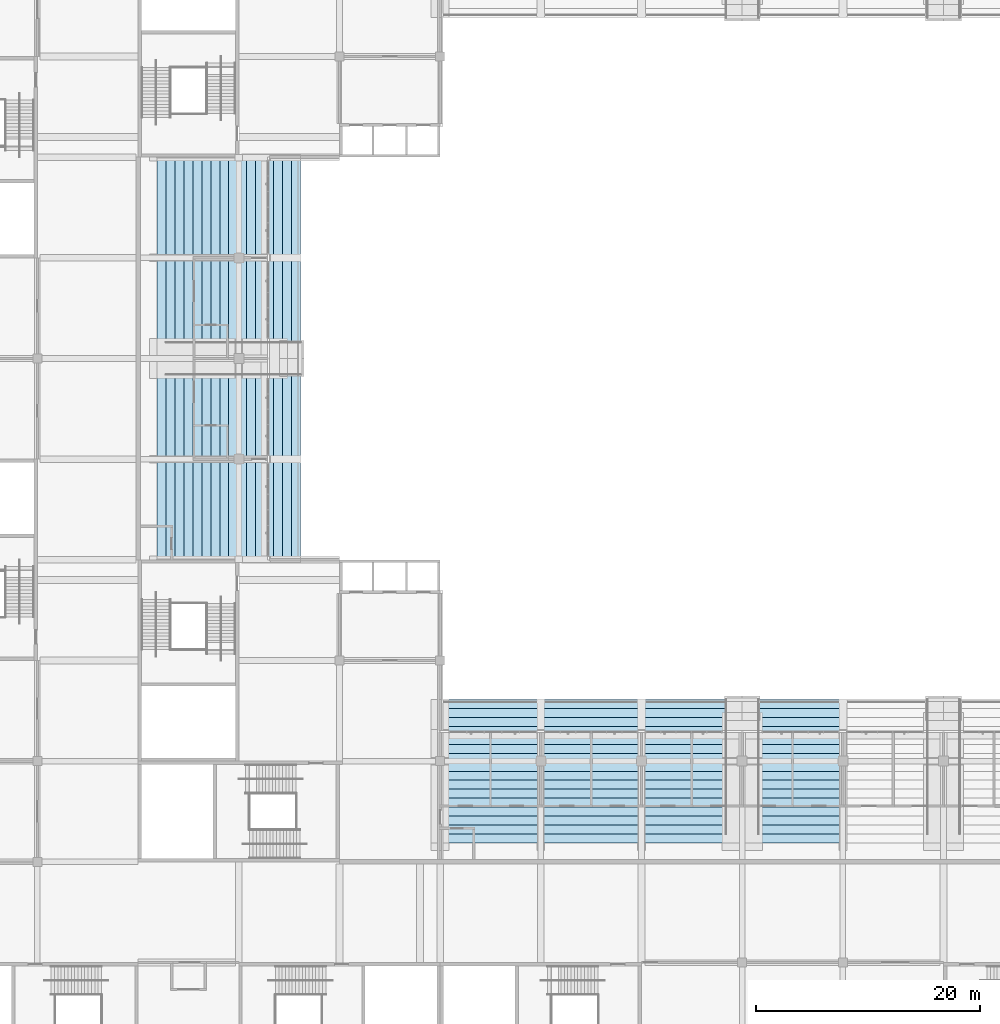
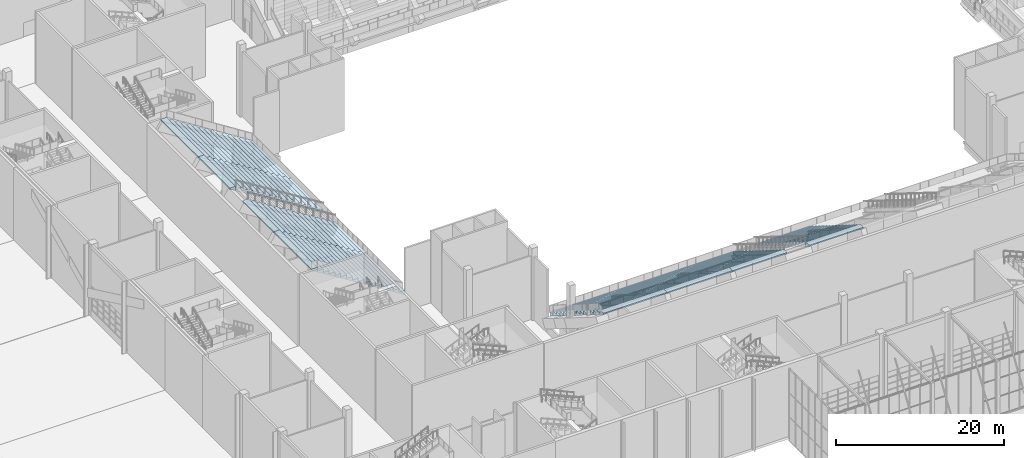
# One storey, part 132 of 182: 8 slabs.
"""IFC4 building model written with IfcOpenShell, lengths in metres."""

from ifc_helpers import new_model, si_unit, direction, frame, origin, place, context, subcontext, project, spatial, faceted_brep, material, layer, layer_set, type_object, element, save


model = new_model("IFC4")

# Units and contexts
model_context = context("Model", 3, precision=1e-05, world=origin(), true_north=direction((0.0, 1.0)))
body_context = subcontext(model_context, "Body", "Model", "MODEL_VIEW")
ifc_project = project(units=[si_unit("LENGTHUNIT", "METRE"), si_unit("AREAUNIT", "SQUARE_METRE"), si_unit("VOLUMEUNIT", "CUBIC_METRE"), si_unit("PLANEANGLEUNIT", "RADIAN"), si_unit("MASSUNIT", "GRAM", prefix="KILO")], contexts=[model_context])

# Site, building, storey
site_placement = place(None, origin())
site = spatial("IfcSite", under=ifc_project, at=site_placement, CompositionType="ELEMENT")
building_placement = place(site_placement, origin())
building = spatial("IfcBuilding", under=site, at=building_placement, Name="Silverbay Arena", CompositionType="ELEMENT")
storey_placement = place(building_placement, frame((0.0, 0.0, 11.5)))
storey = spatial("IfcBuildingStorey", under=building, at=storey_placement, Name="L02", CompositionType="ELEMENT", Elevation=11.5)

# Slabs
ifc_material = material(Name="Concrete Grade C45 precast", Category="concrete")
ifc_layer = layer(ifc_material, 0.679931640625)
ifc_layer_set = layer_set([ifc_layer], Name="Concrete Grade C45 precast")
slab_type = type_object("IfcSlabType", Name="Precast seating tier upper", PredefinedType="USERDEFINED", material=ifc_layer_set)
slab_1_placement = place(storey_placement, origin())
element("IfcSlab", 1, at=slab_1_placement, inside=storey, type_object=slab_type, Name="Stand South upper bay 1", ObjectType="SEATING TIER", PredefinedType="USERDEFINED", context=body_context, shape_type="Brep", body=[
    faceted_brep([(99.25, 50.5, 3.0), (99.25, 49.699951171875, 3.0), (99.39990234375, 49.699951171875, 3.0), (99.39990234375, 50.5, 3.0), (99.39990234375, 50.5, 2.320068359375), (99.39990234375, 49.699951171875, 2.820068359375), (99.25, 49.699951171875, 2.820068359375), (99.25, 50.5, 2.320068359375), (108.0, 49.699951171875, 3.0), (108.0, 50.5, 3.0), (108.0, 50.5, 2.320068359375), (108.0, 49.699951171875, 2.820068359375), (99.25, 49.699951171875, 3.5), (99.25, 48.89990234375, 3.5), (99.39990234375, 48.89990234375, 3.5), (99.39990234375, 49.699951171875, 3.5), (99.39990234375, 48.89990234375, 3.320068359375), (99.25, 48.89990234375, 3.320068359375), (108.0, 48.89990234375, 3.5), (108.0, 49.699951171875, 3.5), (108.0, 48.89990234375, 3.320068359375), (99.25, 48.89990234375, 4.0), (99.25, 48.10009765625, 4.0), (99.39990234375, 48.10009765625, 4.0), (99.39990234375, 48.89990234375, 4.0), (99.39990234375, 48.10009765625, 3.820068359375), (99.25, 48.10009765625, 3.820068359375), (108.0, 48.10009765625, 4.0), (108.0, 48.89990234375, 4.0), (108.0, 48.10009765625, 3.820068359375), (99.25, 48.10009765625, 4.5), (99.25, 47.300048828125, 4.5), (99.39990234375, 47.300048828125, 4.5), (99.39990234375, 48.10009765625, 4.5), (99.39990234375, 47.300048828125, 4.320068359375), (99.25, 47.300048828125, 4.320068359375), (108.0, 47.300048828125, 4.5), (108.0, 48.10009765625, 4.5), (108.0, 47.300048828125, 4.320068359375), (99.25, 47.300048828125, 5.0), (99.25, 46.5, 5.0), (99.39990234375, 46.5, 5.0), (99.39990234375, 47.300048828125, 5.0), (99.39990234375, 46.5, 4.820068359375), (99.25, 46.5, 4.820068359375), (108.0, 46.5, 5.0), (108.0, 47.300048828125, 5.0), (108.0, 46.5, 4.820068359375), (99.25, 46.5, 5.5), (99.25, 45.699951171875, 5.5), (99.39990234375, 45.699951171875, 5.5), (99.39990234375, 46.5, 5.5), (99.39990234375, 45.699951171875, 5.320068359375), (99.25, 45.699951171875, 5.320068359375), (108.0, 45.699951171875, 5.5), (108.0, 46.5, 5.5), (108.0, 45.699951171875, 5.320068359375), (99.25, 45.699951171875, 6.0), (99.25, 45.39990234375, 6.0), (99.39990234375, 45.39990234375, 6.0), (99.39990234375, 45.699951171875, 6.0), (99.39990234375, 45.39990234375, 5.507568359375), (99.25, 45.39990234375, 5.507568359375), (108.0, 45.39990234375, 6.0), (108.0, 45.699951171875, 6.0), (108.0, 45.39990234375, 5.507568359375), (99.39990234375, 44.89990234375, 6.0), (108.0, 44.89990234375, 6.0), (108.0, 44.89990234375, 5.820068359375), (99.39990234375, 44.89990234375, 5.820068359375), (99.39990234375, 44.89990234375, 6.5), (99.39990234375, 44.60009765625, 6.5), (108.0, 44.60009765625, 6.5), (108.0, 44.89990234375, 6.5), (108.0, 44.60009765625, 6.007568359375), (99.39990234375, 44.60009765625, 6.007568359375), (99.25, 44.60009765625, 6.5), (99.25, 44.10009765625, 6.5), (99.39990234375, 44.10009765625, 6.5), (99.39990234375, 44.10009765625, 6.320068359375), (99.25, 44.10009765625, 6.320068359375), (99.25, 44.60009765625, 6.007568359375), (108.0, 44.10009765625, 6.5), (108.0, 44.10009765625, 6.320068359375), (99.25, 44.10009765625, 7.0), (99.25, 43.300048828125, 7.0), (99.39990234375, 43.300048828125, 7.0), (99.39990234375, 44.10009765625, 7.0), (99.39990234375, 43.300048828125, 6.820068359375), (99.25, 43.300048828125, 6.820068359375), (108.0, 43.300048828125, 7.0), (108.0, 44.10009765625, 7.0), (108.0, 43.300048828125, 6.820068359375), (99.25, 43.300048828125, 7.5), (99.25, 42.5, 7.5), (99.39990234375, 42.5, 7.5), (99.39990234375, 43.300048828125, 7.5), (99.39990234375, 42.5, 7.320068359375), (99.25, 42.5, 7.320068359375), (108.0, 42.5, 7.5), (108.0, 43.300048828125, 7.5), (108.0, 42.5, 7.320068359375), (99.25, 42.5, 8.0), (99.25, 41.699951171875, 8.0), (99.39990234375, 41.699951171875, 8.0), (99.39990234375, 42.5, 8.0), (99.39990234375, 41.699951171875, 7.820068359375), (99.25, 41.699951171875, 7.820068359375), (108.0, 41.699951171875, 8.0), (108.0, 42.5, 8.0), (108.0, 41.699951171875, 7.820068359375), (99.25, 41.699951171875, 8.5), (99.25, 40.89990234375, 8.5), (99.39990234375, 40.89990234375, 8.5), (99.39990234375, 41.699951171875, 8.5), (99.39990234375, 40.89990234375, 8.320068359375), (99.25, 40.89990234375, 8.320068359375), (108.0, 40.89990234375, 8.5), (108.0, 41.699951171875, 8.5), (108.0, 40.89990234375, 8.320068359375), (99.25, 40.89990234375, 9.0), (99.25, 40.10009765625, 9.0), (99.39990234375, 40.10009765625, 9.0), (99.39990234375, 40.89990234375, 9.0), (99.39990234375, 40.10009765625, 8.820068359375), (99.25, 40.10009765625, 8.820068359375), (108.0, 40.10009765625, 9.0), (108.0, 40.89990234375, 9.0), (108.0, 40.10009765625, 8.820068359375), (99.25, 40.10009765625, 9.5), (99.25, 39.300048828125, 9.5), (99.39990234375, 39.300048828125, 9.5), (99.39990234375, 40.10009765625, 9.5), (99.39990234375, 39.300048828125, 9.320068359375), (99.25, 39.300048828125, 9.320068359375), (108.0, 39.300048828125, 9.5), (108.0, 40.10009765625, 9.5), (108.0, 39.300048828125, 9.320068359375), (99.25, 39.300048828125, 10.0), (99.25, 38.5, 10.0), (99.39990234375, 38.5, 10.0), (99.39990234375, 39.300048828125, 10.0), (99.39990234375, 38.5, 9.820068359375), (99.25, 38.5, 9.820068359375), (108.0, 38.5, 10.0), (108.0, 39.300048828125, 10.0), (108.0, 38.5, 9.820068359375), (99.25, 38.5, 10.5), (99.25, 37.699951171875, 10.5), (99.39990234375, 37.699951171875, 10.5), (99.39990234375, 38.5, 10.5), (99.39990234375, 37.699951171875, 10.320068359375), (99.25, 37.699951171875, 10.320068359375), (108.0, 37.699951171875, 10.5), (108.0, 38.5, 10.5), (108.0, 37.699951171875, 10.320068359375)], [[[0, 1, 2, 3]], [[4, 5, 6, 7]], [[7, 6, 1, 0]], [[0, 3, 4, 7]], [[3, 2, 8, 9]], [[10, 11, 5, 4]], [[9, 8, 11, 10]], [[3, 9, 10, 4]], [[12, 13, 14, 15]], [[5, 16, 17, 6]], [[6, 17, 13, 12, 1]], [[12, 15, 2, 1]], [[15, 14, 18, 19]], [[11, 20, 16, 5]], [[19, 18, 20, 11, 8]], [[15, 19, 8, 2]], [[21, 22, 23, 24]], [[16, 25, 26, 17]], [[17, 26, 22, 21, 13]], [[21, 24, 14, 13]], [[24, 23, 27, 28]], [[20, 29, 25, 16]], [[28, 27, 29, 20, 18]], [[24, 28, 18, 14]], [[30, 31, 32, 33]], [[25, 34, 35, 26]], [[26, 35, 31, 30, 22]], [[30, 33, 23, 22]], [[33, 32, 36, 37]], [[29, 38, 34, 25]], [[37, 36, 38, 29, 27]], [[33, 37, 27, 23]], [[39, 40, 41, 42]], [[34, 43, 44, 35]], [[35, 44, 40, 39, 31]], [[39, 42, 32, 31]], [[42, 41, 45, 46]], [[38, 47, 43, 34]], [[46, 45, 47, 38, 36]], [[42, 46, 36, 32]], [[48, 49, 50, 51]], [[43, 52, 53, 44]], [[44, 53, 49, 48, 40]], [[48, 51, 41, 40]], [[51, 50, 54, 55]], [[47, 56, 52, 43]], [[55, 54, 56, 47, 45]], [[51, 55, 45, 41]], [[57, 58, 59, 60]], [[52, 61, 62, 53]], [[53, 62, 58, 57, 49]], [[57, 60, 50, 49]], [[62, 61, 59, 58]], [[60, 59, 63, 64]], [[56, 65, 61, 52]], [[64, 63, 65, 56, 54]], [[60, 64, 54, 50]], [[59, 66, 67, 63]], [[65, 68, 69, 61]], [[61, 69, 66, 59]], [[63, 67, 68, 65]], [[70, 71, 72, 73]], [[68, 74, 75, 69]], [[69, 75, 71, 70, 66]], [[73, 72, 74, 68, 67]], [[70, 73, 67, 66]], [[76, 77, 78, 71]], [[75, 79, 80, 81]], [[81, 80, 77, 76]], [[76, 71, 75, 81]], [[71, 78, 82, 72]], [[74, 83, 79, 75]], [[72, 82, 83, 74]], [[84, 85, 86, 87]], [[79, 88, 89, 80]], [[80, 89, 85, 84, 77]], [[84, 87, 78, 77]], [[87, 86, 90, 91]], [[83, 92, 88, 79]], [[91, 90, 92, 83, 82]], [[87, 91, 82, 78]], [[93, 94, 95, 96]], [[88, 97, 98, 89]], [[89, 98, 94, 93, 85]], [[93, 96, 86, 85]], [[96, 95, 99, 100]], [[92, 101, 97, 88]], [[100, 99, 101, 92, 90]], [[96, 100, 90, 86]], [[102, 103, 104, 105]], [[97, 106, 107, 98]], [[98, 107, 103, 102, 94]], [[102, 105, 95, 94]], [[105, 104, 108, 109]], [[101, 110, 106, 97]], [[109, 108, 110, 101, 99]], [[105, 109, 99, 95]], [[111, 112, 113, 114]], [[106, 115, 116, 107]], [[107, 116, 112, 111, 103]], [[111, 114, 104, 103]], [[114, 113, 117, 118]], [[110, 119, 115, 106]], [[118, 117, 119, 110, 108]], [[114, 118, 108, 104]], [[120, 121, 122, 123]], [[115, 124, 125, 116]], [[116, 125, 121, 120, 112]], [[120, 123, 113, 112]], [[123, 122, 126, 127]], [[119, 128, 124, 115]], [[127, 126, 128, 119, 117]], [[123, 127, 117, 113]], [[129, 130, 131, 132]], [[124, 133, 134, 125]], [[125, 134, 130, 129, 121]], [[129, 132, 122, 121]], [[132, 131, 135, 136]], [[128, 137, 133, 124]], [[136, 135, 137, 128, 126]], [[132, 136, 126, 122]], [[138, 139, 140, 141]], [[133, 142, 143, 134]], [[134, 143, 139, 138, 130]], [[138, 141, 131, 130]], [[141, 140, 144, 145]], [[137, 146, 142, 133]], [[145, 144, 146, 137, 135]], [[141, 145, 135, 131]], [[147, 148, 149, 150]], [[142, 151, 152, 143]], [[143, 152, 148, 147, 139]], [[147, 150, 140, 139]], [[152, 151, 149, 148]], [[150, 149, 153, 154]], [[146, 155, 151, 142]], [[154, 153, 155, 146, 144]], [[150, 154, 144, 140]], [[151, 155, 153, 149]]]),
])
slab_2_placement = place(storey_placement, origin())
element("IfcSlab", 2, at=slab_2_placement, inside=storey, type_object=slab_type, Name="Stand South upper bay 2", ObjectType="SEATING TIER", PredefinedType="USERDEFINED", context=body_context, shape_type="Brep", body=[
    faceted_brep([(108.0, 50.5, 2.320068359375), (108.0, 37.699951171875, 10.320068359375), (108.0, 37.699951171875, 10.5), (108.0, 38.5, 10.5), (108.0, 38.5, 10.0), (108.0, 39.300048828125, 10.0), (108.0, 39.300048828125, 9.5), (108.0, 40.10009765625, 9.5), (108.0, 40.10009765625, 9.0), (108.0, 40.89990234375, 9.0), (108.0, 40.89990234375, 8.5), (108.0, 41.699951171875, 8.5), (108.0, 41.699951171875, 8.0), (108.0, 42.5, 8.0), (108.0, 42.5, 7.5), (108.0, 43.300048828125, 7.5), (108.0, 43.300048828125, 7.0), (108.0, 44.10009765625, 7.0), (108.0, 44.10009765625, 6.5), (108.0, 44.89990234375, 6.5), (108.0, 44.89990234375, 6.0), (108.0, 45.699951171875, 6.0), (108.0, 45.699951171875, 5.5), (108.0, 46.5, 5.5), (108.0, 46.5, 5.0), (108.0, 47.300048828125, 5.0), (108.0, 47.300048828125, 4.5), (108.0, 48.10009765625, 4.5), (108.0, 48.10009765625, 4.0), (108.0, 48.89990234375, 4.0), (108.0, 48.89990234375, 3.5), (108.0, 49.699951171875, 3.5), (108.0, 49.699951171875, 3.0), (108.0, 50.5, 3.0), (117.0, 50.5, 3.0), (117.0, 49.699951171875, 3.0), (117.0, 49.699951171875, 3.5), (117.0, 48.89990234375, 3.5), (117.0, 48.89990234375, 4.0), (117.0, 48.10009765625, 4.0), (117.0, 48.10009765625, 4.5), (117.0, 47.300048828125, 4.5), (117.0, 47.300048828125, 5.0), (117.0, 46.5, 5.0), (117.0, 46.5, 5.5), (117.0, 45.699951171875, 5.5), (117.0, 45.699951171875, 6.0), (117.0, 44.89990234375, 6.0), (117.0, 44.89990234375, 6.5), (117.0, 44.10009765625, 6.5), (117.0, 44.10009765625, 7.0), (117.0, 43.300048828125, 7.0), (117.0, 43.300048828125, 7.5), (117.0, 42.5, 7.5), (117.0, 42.5, 8.0), (117.0, 41.699951171875, 8.0), (117.0, 41.699951171875, 8.5), (117.0, 40.89990234375, 8.5), (117.0, 40.89990234375, 9.0), (117.0, 40.10009765625, 9.0), (117.0, 40.10009765625, 9.5), (117.0, 39.300048828125, 9.5), (117.0, 39.300048828125, 10.0), (117.0, 38.5, 10.0), (117.0, 38.5, 10.5), (117.0, 37.699951171875, 10.5), (117.0, 37.699951171875, 10.320068359375), (117.0, 50.5, 2.320068359375)], [[[0, 1, 2, 3, 4, 5, 6, 7, 8, 9, 10, 11, 12, 13, 14, 15, 16, 17, 18, 19, 20, 21, 22, 23, 24, 25, 26, 27, 28, 29, 30, 31, 32, 33]], [[34, 35, 36, 37, 38, 39, 40, 41, 42, 43, 44, 45, 46, 47, 48, 49, 50, 51, 52, 53, 54, 55, 56, 57, 58, 59, 60, 61, 62, 63, 64, 65, 66, 67]], [[33, 32, 35, 34]], [[32, 31, 36, 35]], [[31, 30, 37, 36]], [[30, 29, 38, 37]], [[29, 28, 39, 38]], [[28, 27, 40, 39]], [[27, 26, 41, 40]], [[26, 25, 42, 41]], [[25, 24, 43, 42]], [[24, 23, 44, 43]], [[23, 22, 45, 44]], [[22, 21, 46, 45]], [[21, 20, 47, 46]], [[20, 19, 48, 47]], [[19, 18, 49, 48]], [[18, 17, 50, 49]], [[17, 16, 51, 50]], [[16, 15, 52, 51]], [[15, 14, 53, 52]], [[14, 13, 54, 53]], [[13, 12, 55, 54]], [[12, 11, 56, 55]], [[11, 10, 57, 56]], [[10, 9, 58, 57]], [[9, 8, 59, 58]], [[8, 7, 60, 59]], [[7, 6, 61, 60]], [[6, 5, 62, 61]], [[5, 4, 63, 62]], [[4, 3, 64, 63]], [[3, 2, 65, 64]], [[2, 1, 66, 65]], [[1, 0, 67, 66]], [[0, 33, 34, 67]]]),
])
slab_3_placement = place(storey_placement, origin())
element("IfcSlab", 3, at=slab_3_placement, inside=storey, type_object=slab_type, Name="Stand South upper bay 3", ObjectType="SEATING TIER", PredefinedType="USERDEFINED", context=body_context, shape_type="Brep", body=[
    faceted_brep([(117.0, 50.5, 2.320068359375), (117.0, 37.699951171875, 10.320068359375), (117.0, 37.699951171875, 10.5), (117.0, 38.5, 10.5), (117.0, 38.5, 10.0), (117.0, 39.300048828125, 10.0), (117.0, 39.300048828125, 9.5), (117.0, 40.10009765625, 9.5), (117.0, 40.10009765625, 9.0), (117.0, 40.89990234375, 9.0), (117.0, 40.89990234375, 8.5), (117.0, 41.699951171875, 8.5), (117.0, 41.699951171875, 8.0), (117.0, 42.5, 8.0), (117.0, 42.5, 7.5), (117.0, 43.300048828125, 7.5), (117.0, 43.300048828125, 7.0), (117.0, 44.10009765625, 7.0), (117.0, 44.10009765625, 6.5), (117.0, 44.89990234375, 6.5), (117.0, 44.89990234375, 6.0), (117.0, 45.699951171875, 6.0), (117.0, 45.699951171875, 5.5), (117.0, 46.5, 5.5), (117.0, 46.5, 5.0), (117.0, 47.300048828125, 5.0), (117.0, 47.300048828125, 4.5), (117.0, 48.10009765625, 4.5), (117.0, 48.10009765625, 4.0), (117.0, 48.89990234375, 4.0), (117.0, 48.89990234375, 3.5), (117.0, 49.699951171875, 3.5), (117.0, 49.699951171875, 3.0), (117.0, 50.5, 3.0), (124.5, 50.5, 3.0), (124.5, 49.699951171875, 3.0), (124.5, 49.699951171875, 3.5), (124.5, 48.89990234375, 3.5), (124.5, 48.89990234375, 4.0), (124.5, 48.10009765625, 4.0), (124.5, 48.10009765625, 4.5), (124.5, 47.300048828125, 4.5), (124.5, 47.300048828125, 5.0), (124.5, 46.5, 5.0), (124.5, 46.5, 5.5), (124.5, 45.699951171875, 5.5), (124.5, 45.699951171875, 6.0), (124.5, 44.89990234375, 6.0), (124.5, 44.89990234375, 6.5), (124.5, 44.10009765625, 6.5), (124.5, 44.10009765625, 7.0), (124.5, 43.300048828125, 7.0), (124.5, 43.300048828125, 7.5), (124.5, 42.5, 7.5), (124.5, 42.5, 8.0), (124.5, 41.699951171875, 8.0), (124.5, 41.699951171875, 8.5), (124.5, 40.89990234375, 8.5), (124.5, 40.89990234375, 9.0), (124.5, 40.10009765625, 9.0), (124.5, 40.10009765625, 9.5), (124.5, 39.300048828125, 9.5), (124.5, 39.300048828125, 10.0), (124.5, 38.5, 10.0), (124.5, 38.5, 10.5), (124.5, 37.699951171875, 10.5), (124.5, 37.699951171875, 10.320068359375), (124.5, 50.5, 2.320068359375)], [[[0, 1, 2, 3, 4, 5, 6, 7, 8, 9, 10, 11, 12, 13, 14, 15, 16, 17, 18, 19, 20, 21, 22, 23, 24, 25, 26, 27, 28, 29, 30, 31, 32, 33]], [[34, 35, 36, 37, 38, 39, 40, 41, 42, 43, 44, 45, 46, 47, 48, 49, 50, 51, 52, 53, 54, 55, 56, 57, 58, 59, 60, 61, 62, 63, 64, 65, 66, 67]], [[33, 32, 35, 34]], [[32, 31, 36, 35]], [[31, 30, 37, 36]], [[30, 29, 38, 37]], [[29, 28, 39, 38]], [[28, 27, 40, 39]], [[27, 26, 41, 40]], [[26, 25, 42, 41]], [[25, 24, 43, 42]], [[24, 23, 44, 43]], [[23, 22, 45, 44]], [[22, 21, 46, 45]], [[21, 20, 47, 46]], [[20, 19, 48, 47]], [[19, 18, 49, 48]], [[18, 17, 50, 49]], [[17, 16, 51, 50]], [[16, 15, 52, 51]], [[15, 14, 53, 52]], [[14, 13, 54, 53]], [[13, 12, 55, 54]], [[12, 11, 56, 55]], [[11, 10, 57, 56]], [[10, 9, 58, 57]], [[9, 8, 59, 58]], [[8, 7, 60, 59]], [[7, 6, 61, 60]], [[6, 5, 62, 61]], [[5, 4, 63, 62]], [[4, 3, 64, 63]], [[3, 2, 65, 64]], [[2, 1, 66, 65]], [[1, 0, 67, 66]], [[0, 33, 34, 67]]]),
])
slab_4_placement = place(storey_placement, origin())
element("IfcSlab", 4, at=slab_4_placement, inside=storey, type_object=slab_type, Name="Stand South upper bay 4", ObjectType="SEATING TIER", PredefinedType="USERDEFINED", context=body_context, shape_type="Brep", body=[
    faceted_brep([(127.5, 50.5, 2.320068359375), (127.5, 37.699951171875, 10.320068359375), (127.5, 37.699951171875, 10.5), (127.5, 38.5, 10.5), (127.5, 38.5, 10.0), (127.5, 39.300048828125, 10.0), (127.5, 39.300048828125, 9.5), (127.5, 40.10009765625, 9.5), (127.5, 40.10009765625, 9.0), (127.5, 40.89990234375, 9.0), (127.5, 40.89990234375, 8.5), (127.5, 41.699951171875, 8.5), (127.5, 41.699951171875, 8.0), (127.5, 42.5, 8.0), (127.5, 42.5, 7.5), (127.5, 43.300048828125, 7.5), (127.5, 43.300048828125, 7.0), (127.5, 44.10009765625, 7.0), (127.5, 44.10009765625, 6.5), (127.5, 44.89990234375, 6.5), (127.5, 44.89990234375, 6.0), (127.5, 45.699951171875, 6.0), (127.5, 45.699951171875, 5.5), (127.5, 46.5, 5.5), (127.5, 46.5, 5.0), (127.5, 47.300048828125, 5.0), (127.5, 47.300048828125, 4.5), (127.5, 48.10009765625, 4.5), (127.5, 48.10009765625, 4.0), (127.5, 48.89990234375, 4.0), (127.5, 48.89990234375, 3.5), (127.5, 49.699951171875, 3.5), (127.5, 49.699951171875, 3.0), (127.5, 50.5, 3.0), (135.0, 50.5, 3.0), (135.0, 49.699951171875, 3.0), (135.0, 49.699951171875, 3.5), (135.0, 48.89990234375, 3.5), (135.0, 48.89990234375, 4.0), (135.0, 48.10009765625, 4.0), (135.0, 48.10009765625, 4.5), (135.0, 47.300048828125, 4.5), (135.0, 47.300048828125, 5.0), (135.0, 46.5, 5.0), (135.0, 46.5, 5.5), (135.0, 45.699951171875, 5.5), (135.0, 45.699951171875, 6.0), (135.0, 44.89990234375, 6.0), (135.0, 44.89990234375, 6.5), (135.0, 44.10009765625, 6.5), (135.0, 44.10009765625, 7.0), (135.0, 43.300048828125, 7.0), (135.0, 43.300048828125, 7.5), (135.0, 42.5, 7.5), (135.0, 42.5, 8.0), (135.0, 41.699951171875, 8.0), (135.0, 41.699951171875, 8.5), (135.0, 40.89990234375, 8.5), (135.0, 40.89990234375, 9.0), (135.0, 40.10009765625, 9.0), (135.0, 40.10009765625, 9.5), (135.0, 39.300048828125, 9.5), (135.0, 39.300048828125, 10.0), (135.0, 38.5, 10.0), (135.0, 38.5, 10.5), (135.0, 37.699951171875, 10.5), (135.0, 37.699951171875, 10.320068359375), (135.0, 50.5, 2.320068359375)], [[[0, 1, 2, 3, 4, 5, 6, 7, 8, 9, 10, 11, 12, 13, 14, 15, 16, 17, 18, 19, 20, 21, 22, 23, 24, 25, 26, 27, 28, 29, 30, 31, 32, 33]], [[34, 35, 36, 37, 38, 39, 40, 41, 42, 43, 44, 45, 46, 47, 48, 49, 50, 51, 52, 53, 54, 55, 56, 57, 58, 59, 60, 61, 62, 63, 64, 65, 66, 67]], [[33, 32, 35, 34]], [[32, 31, 36, 35]], [[31, 30, 37, 36]], [[30, 29, 38, 37]], [[29, 28, 39, 38]], [[28, 27, 40, 39]], [[27, 26, 41, 40]], [[26, 25, 42, 41]], [[25, 24, 43, 42]], [[24, 23, 44, 43]], [[23, 22, 45, 44]], [[22, 21, 46, 45]], [[21, 20, 47, 46]], [[20, 19, 48, 47]], [[19, 18, 49, 48]], [[18, 17, 50, 49]], [[17, 16, 51, 50]], [[16, 15, 52, 51]], [[15, 14, 53, 52]], [[14, 13, 54, 53]], [[13, 12, 55, 54]], [[12, 11, 56, 55]], [[11, 10, 57, 56]], [[10, 9, 58, 57]], [[9, 8, 59, 58]], [[8, 7, 60, 59]], [[7, 6, 61, 60]], [[6, 5, 62, 61]], [[5, 4, 63, 62]], [[4, 3, 64, 63]], [[3, 2, 65, 64]], [[2, 1, 66, 65]], [[1, 0, 67, 66]], [[0, 33, 34, 67]]]),
])
slab_5_placement = place(storey_placement, origin())
element("IfcSlab", 5, at=slab_5_placement, inside=storey, type_object=slab_type, Name="Stand West upper bay 1", ObjectType="SEATING TIER", PredefinedType="USERDEFINED", context=body_context, shape_type="Brep", body=[
    faceted_brep([(86.5, 63.0, 3.0), (85.699951171875, 63.0, 3.0), (85.699951171875, 63.0, 3.5), (84.89990234375, 63.0, 3.5), (84.89990234375, 63.0, 4.0), (84.10009765625, 63.0, 4.0), (84.10009765625, 63.0, 4.5), (83.300048828125, 63.0, 4.5), (83.300048828125, 63.0, 5.0), (82.5, 63.0, 5.0), (82.5, 63.0, 5.5), (81.699951171875, 63.0, 5.5), (81.699951171875, 63.0, 6.0), (80.89990234375, 63.0, 6.0), (80.89990234375, 63.0, 6.5), (80.10009765625, 63.0, 6.5), (80.10009765625, 63.0, 7.0), (79.300048828125, 63.0, 7.0), (79.300048828125, 63.0, 7.5), (78.5, 63.0, 7.5), (78.5, 63.0, 8.0), (77.699951171875, 63.0, 8.0), (77.699951171875, 63.0, 8.5), (76.89990234375, 63.0, 8.5), (76.89990234375, 63.0, 9.0), (76.10009765625, 63.0, 9.0), (76.10009765625, 63.0, 9.5), (75.300048828125, 63.0, 9.5), (75.300048828125, 63.0, 10.0), (74.5, 63.0, 10.0), (74.5, 63.0, 10.5), (73.699951171875, 63.0, 10.5), (73.699951171875, 63.0, 10.320068359375), (86.5, 63.0, 2.320068359375), (86.5, 72.0, 2.320068359375), (73.699951171875, 72.0, 10.320068359375), (73.699951171875, 72.0, 10.5), (74.5, 72.0, 10.5), (74.5, 72.0, 10.0), (75.300048828125, 72.0, 10.0), (75.300048828125, 72.0, 9.5), (76.10009765625, 72.0, 9.5), (76.10009765625, 72.0, 9.0), (76.89990234375, 72.0, 9.0), (76.89990234375, 72.0, 8.5), (77.699951171875, 72.0, 8.5), (77.699951171875, 72.0, 8.0), (78.5, 72.0, 8.0), (78.5, 72.0, 7.5), (79.300048828125, 72.0, 7.5), (79.300048828125, 72.0, 7.0), (80.10009765625, 72.0, 7.0), (80.10009765625, 72.0, 6.5), (80.89990234375, 72.0, 6.5), (80.89990234375, 72.0, 6.0), (81.699951171875, 72.0, 6.0), (81.699951171875, 72.0, 5.5), (82.5, 72.0, 5.5), (82.5, 72.0, 5.0), (83.300048828125, 72.0, 5.0), (83.300048828125, 72.0, 4.5), (84.10009765625, 72.0, 4.5), (84.10009765625, 72.0, 4.0), (84.89990234375, 72.0, 4.0), (84.89990234375, 72.0, 3.5), (85.699951171875, 72.0, 3.5), (85.699951171875, 72.0, 3.0), (86.5, 72.0, 3.0)], [[[0, 1, 2, 3, 4, 5, 6, 7, 8, 9, 10, 11, 12, 13, 14, 15, 16, 17, 18, 19, 20, 21, 22, 23, 24, 25, 26, 27, 28, 29, 30, 31, 32, 33]], [[34, 35, 36, 37, 38, 39, 40, 41, 42, 43, 44, 45, 46, 47, 48, 49, 50, 51, 52, 53, 54, 55, 56, 57, 58, 59, 60, 61, 62, 63, 64, 65, 66, 67]], [[67, 66, 1, 0]], [[66, 65, 2, 1]], [[65, 64, 3, 2]], [[64, 63, 4, 3]], [[63, 62, 5, 4]], [[62, 61, 6, 5]], [[61, 60, 7, 6]], [[60, 59, 8, 7]], [[59, 58, 9, 8]], [[58, 57, 10, 9]], [[57, 56, 11, 10]], [[56, 55, 12, 11]], [[55, 54, 13, 12]], [[54, 53, 14, 13]], [[53, 52, 15, 14]], [[52, 51, 16, 15]], [[51, 50, 17, 16]], [[50, 49, 18, 17]], [[49, 48, 19, 18]], [[48, 47, 20, 19]], [[47, 46, 21, 20]], [[46, 45, 22, 21]], [[45, 44, 23, 22]], [[44, 43, 24, 23]], [[43, 42, 25, 24]], [[42, 41, 26, 25]], [[41, 40, 27, 26]], [[40, 39, 28, 27]], [[39, 38, 29, 28]], [[38, 37, 30, 29]], [[37, 36, 31, 30]], [[36, 35, 32, 31]], [[35, 34, 33, 32]], [[34, 67, 0, 33]]]),
])
slab_6_placement = place(storey_placement, origin())
element("IfcSlab", 6, at=slab_6_placement, inside=storey, type_object=slab_type, Name="Stand West upper bay 2", ObjectType="SEATING TIER", PredefinedType="USERDEFINED", context=body_context, shape_type="Brep", body=[
    faceted_brep([(86.5, 72.0, 3.0), (85.699951171875, 72.0, 3.0), (85.699951171875, 72.0, 3.5), (84.89990234375, 72.0, 3.5), (84.89990234375, 72.0, 4.0), (84.10009765625, 72.0, 4.0), (84.10009765625, 72.0, 4.5), (83.300048828125, 72.0, 4.5), (83.300048828125, 72.0, 5.0), (82.5, 72.0, 5.0), (82.5, 72.0, 5.5), (81.699951171875, 72.0, 5.5), (81.699951171875, 72.0, 6.0), (80.89990234375, 72.0, 6.0), (80.89990234375, 72.0, 6.5), (80.10009765625, 72.0, 6.5), (80.10009765625, 72.0, 7.0), (79.300048828125, 72.0, 7.0), (79.300048828125, 72.0, 7.5), (78.5, 72.0, 7.5), (78.5, 72.0, 8.0), (77.699951171875, 72.0, 8.0), (77.699951171875, 72.0, 8.5), (76.89990234375, 72.0, 8.5), (76.89990234375, 72.0, 9.0), (76.10009765625, 72.0, 9.0), (76.10009765625, 72.0, 9.5), (75.300048828125, 72.0, 9.5), (75.300048828125, 72.0, 10.0), (74.5, 72.0, 10.0), (74.5, 72.0, 10.5), (73.699951171875, 72.0, 10.5), (73.699951171875, 72.0, 10.320068359375), (86.5, 72.0, 2.320068359375), (86.5, 79.5, 2.320068359375), (73.699951171875, 79.5, 10.320068359375), (73.699951171875, 79.5, 10.5), (74.5, 79.5, 10.5), (74.5, 79.5, 10.0), (75.300048828125, 79.5, 10.0), (75.300048828125, 79.5, 9.5), (76.10009765625, 79.5, 9.5), (76.10009765625, 79.5, 9.0), (76.89990234375, 79.5, 9.0), (76.89990234375, 79.5, 8.5), (77.699951171875, 79.5, 8.5), (77.699951171875, 79.5, 8.0), (78.5, 79.5, 8.0), (78.5, 79.5, 7.5), (79.300048828125, 79.5, 7.5), (79.300048828125, 79.5, 7.0), (80.10009765625, 79.5, 7.0), (80.10009765625, 79.5, 6.5), (80.89990234375, 79.5, 6.5), (80.89990234375, 79.5, 6.0), (81.699951171875, 79.5, 6.0), (81.699951171875, 79.5, 5.5), (82.5, 79.5, 5.5), (82.5, 79.5, 5.0), (83.300048828125, 79.5, 5.0), (83.300048828125, 79.5, 4.5), (84.10009765625, 79.5, 4.5), (84.10009765625, 79.5, 4.0), (84.89990234375, 79.5, 4.0), (84.89990234375, 79.5, 3.5), (85.699951171875, 79.5, 3.5), (85.699951171875, 79.5, 3.0), (86.5, 79.5, 3.0)], [[[0, 1, 2, 3, 4, 5, 6, 7, 8, 9, 10, 11, 12, 13, 14, 15, 16, 17, 18, 19, 20, 21, 22, 23, 24, 25, 26, 27, 28, 29, 30, 31, 32, 33]], [[34, 35, 36, 37, 38, 39, 40, 41, 42, 43, 44, 45, 46, 47, 48, 49, 50, 51, 52, 53, 54, 55, 56, 57, 58, 59, 60, 61, 62, 63, 64, 65, 66, 67]], [[67, 66, 1, 0]], [[66, 65, 2, 1]], [[65, 64, 3, 2]], [[64, 63, 4, 3]], [[63, 62, 5, 4]], [[62, 61, 6, 5]], [[61, 60, 7, 6]], [[60, 59, 8, 7]], [[59, 58, 9, 8]], [[58, 57, 10, 9]], [[57, 56, 11, 10]], [[56, 55, 12, 11]], [[55, 54, 13, 12]], [[54, 53, 14, 13]], [[53, 52, 15, 14]], [[52, 51, 16, 15]], [[51, 50, 17, 16]], [[50, 49, 18, 17]], [[49, 48, 19, 18]], [[48, 47, 20, 19]], [[47, 46, 21, 20]], [[46, 45, 22, 21]], [[45, 44, 23, 22]], [[44, 43, 24, 23]], [[43, 42, 25, 24]], [[42, 41, 26, 25]], [[41, 40, 27, 26]], [[40, 39, 28, 27]], [[39, 38, 29, 28]], [[38, 37, 30, 29]], [[37, 36, 31, 30]], [[36, 35, 32, 31]], [[35, 34, 33, 32]], [[34, 67, 0, 33]]]),
])
slab_7_placement = place(storey_placement, origin())
element("IfcSlab", 7, at=slab_7_placement, inside=storey, type_object=slab_type, Name="Stand West upper bay 3", ObjectType="SEATING TIER", PredefinedType="USERDEFINED", context=body_context, shape_type="Brep", body=[
    faceted_brep([(86.5, 82.5, 3.0), (85.699951171875, 82.5, 3.0), (85.699951171875, 82.5, 3.5), (84.89990234375, 82.5, 3.5), (84.89990234375, 82.5, 4.0), (84.10009765625, 82.5, 4.0), (84.10009765625, 82.5, 4.5), (83.300048828125, 82.5, 4.5), (83.300048828125, 82.5, 5.0), (82.5, 82.5, 5.0), (82.5, 82.5, 5.5), (81.699951171875, 82.5, 5.5), (81.699951171875, 82.5, 6.0), (80.89990234375, 82.5, 6.0), (80.89990234375, 82.5, 6.5), (80.10009765625, 82.5, 6.5), (80.10009765625, 82.5, 7.0), (79.300048828125, 82.5, 7.0), (79.300048828125, 82.5, 7.5), (78.5, 82.5, 7.5), (78.5, 82.5, 8.0), (77.699951171875, 82.5, 8.0), (77.699951171875, 82.5, 8.5), (76.89990234375, 82.5, 8.5), (76.89990234375, 82.5, 9.0), (76.10009765625, 82.5, 9.0), (76.10009765625, 82.5, 9.5), (75.300048828125, 82.5, 9.5), (75.300048828125, 82.5, 10.0), (74.5, 82.5, 10.0), (74.5, 82.5, 10.5), (73.699951171875, 82.5, 10.5), (73.699951171875, 82.5, 10.320068359375), (86.5, 82.5, 2.320068359375), (86.5, 90.0, 2.320068359375), (73.699951171875, 90.0, 10.320068359375), (73.699951171875, 90.0, 10.5), (74.5, 90.0, 10.5), (74.5, 90.0, 10.0), (75.300048828125, 90.0, 10.0), (75.300048828125, 90.0, 9.5), (76.10009765625, 90.0, 9.5), (76.10009765625, 90.0, 9.0), (76.89990234375, 90.0, 9.0), (76.89990234375, 90.0, 8.5), (77.699951171875, 90.0, 8.5), (77.699951171875, 90.0, 8.0), (78.5, 90.0, 8.0), (78.5, 90.0, 7.5), (79.300048828125, 90.0, 7.5), (79.300048828125, 90.0, 7.0), (80.10009765625, 90.0, 7.0), (80.10009765625, 90.0, 6.5), (80.89990234375, 90.0, 6.5), (80.89990234375, 90.0, 6.0), (81.699951171875, 90.0, 6.0), (81.699951171875, 90.0, 5.5), (82.5, 90.0, 5.5), (82.5, 90.0, 5.0), (83.300048828125, 90.0, 5.0), (83.300048828125, 90.0, 4.5), (84.10009765625, 90.0, 4.5), (84.10009765625, 90.0, 4.0), (84.89990234375, 90.0, 4.0), (84.89990234375, 90.0, 3.5), (85.699951171875, 90.0, 3.5), (85.699951171875, 90.0, 3.0), (86.5, 90.0, 3.0)], [[[0, 1, 2, 3, 4, 5, 6, 7, 8, 9, 10, 11, 12, 13, 14, 15, 16, 17, 18, 19, 20, 21, 22, 23, 24, 25, 26, 27, 28, 29, 30, 31, 32, 33]], [[34, 35, 36, 37, 38, 39, 40, 41, 42, 43, 44, 45, 46, 47, 48, 49, 50, 51, 52, 53, 54, 55, 56, 57, 58, 59, 60, 61, 62, 63, 64, 65, 66, 67]], [[67, 66, 1, 0]], [[66, 65, 2, 1]], [[65, 64, 3, 2]], [[64, 63, 4, 3]], [[63, 62, 5, 4]], [[62, 61, 6, 5]], [[61, 60, 7, 6]], [[60, 59, 8, 7]], [[59, 58, 9, 8]], [[58, 57, 10, 9]], [[57, 56, 11, 10]], [[56, 55, 12, 11]], [[55, 54, 13, 12]], [[54, 53, 14, 13]], [[53, 52, 15, 14]], [[52, 51, 16, 15]], [[51, 50, 17, 16]], [[50, 49, 18, 17]], [[49, 48, 19, 18]], [[48, 47, 20, 19]], [[47, 46, 21, 20]], [[46, 45, 22, 21]], [[45, 44, 23, 22]], [[44, 43, 24, 23]], [[43, 42, 25, 24]], [[42, 41, 26, 25]], [[41, 40, 27, 26]], [[40, 39, 28, 27]], [[39, 38, 29, 28]], [[38, 37, 30, 29]], [[37, 36, 31, 30]], [[36, 35, 32, 31]], [[35, 34, 33, 32]], [[34, 67, 0, 33]]]),
])
slab_8_placement = place(storey_placement, origin())
element("IfcSlab", 8, at=slab_8_placement, inside=storey, type_object=slab_type, Name="Stand West upper bay 4", ObjectType="SEATING TIER", PredefinedType="USERDEFINED", context=body_context, shape_type="Brep", body=[
    faceted_brep([(86.5, 90.0, 3.0), (85.699951171875, 90.0, 3.0), (85.699951171875, 90.0, 3.5), (84.89990234375, 90.0, 3.5), (84.89990234375, 90.0, 4.0), (84.10009765625, 90.0, 4.0), (84.10009765625, 90.0, 4.5), (83.300048828125, 90.0, 4.5), (83.300048828125, 90.0, 5.0), (82.5, 90.0, 5.0), (82.5, 90.0, 5.5), (81.699951171875, 90.0, 5.5), (81.699951171875, 90.0, 6.0), (80.89990234375, 90.0, 6.0), (80.89990234375, 90.0, 6.5), (80.10009765625, 90.0, 6.5), (80.10009765625, 90.0, 7.0), (79.300048828125, 90.0, 7.0), (79.300048828125, 90.0, 7.5), (78.5, 90.0, 7.5), (78.5, 90.0, 8.0), (77.699951171875, 90.0, 8.0), (77.699951171875, 90.0, 8.5), (76.89990234375, 90.0, 8.5), (76.89990234375, 90.0, 9.0), (76.10009765625, 90.0, 9.0), (76.10009765625, 90.0, 9.5), (75.300048828125, 90.0, 9.5), (75.300048828125, 90.0, 10.0), (74.5, 90.0, 10.0), (74.5, 90.0, 10.5), (73.699951171875, 90.0, 10.5), (73.699951171875, 90.0, 10.320068359375), (86.5, 90.0, 2.320068359375), (86.5, 99.0, 2.320068359375), (73.699951171875, 99.0, 10.320068359375), (73.699951171875, 99.0, 10.5), (74.5, 99.0, 10.5), (74.5, 99.0, 10.0), (75.300048828125, 99.0, 10.0), (75.300048828125, 99.0, 9.5), (76.10009765625, 99.0, 9.5), (76.10009765625, 99.0, 9.0), (76.89990234375, 99.0, 9.0), (76.89990234375, 99.0, 8.5), (77.699951171875, 99.0, 8.5), (77.699951171875, 99.0, 8.0), (78.5, 99.0, 8.0), (78.5, 99.0, 7.5), (79.300048828125, 99.0, 7.5), (79.300048828125, 99.0, 7.0), (80.10009765625, 99.0, 7.0), (80.10009765625, 99.0, 6.5), (80.89990234375, 99.0, 6.5), (80.89990234375, 99.0, 6.0), (81.699951171875, 99.0, 6.0), (81.699951171875, 99.0, 5.5), (82.5, 99.0, 5.5), (82.5, 99.0, 5.0), (83.300048828125, 99.0, 5.0), (83.300048828125, 99.0, 4.5), (84.10009765625, 99.0, 4.5), (84.10009765625, 99.0, 4.0), (84.89990234375, 99.0, 4.0), (84.89990234375, 99.0, 3.5), (85.699951171875, 99.0, 3.5), (85.699951171875, 99.0, 3.0), (86.5, 99.0, 3.0)], [[[0, 1, 2, 3, 4, 5, 6, 7, 8, 9, 10, 11, 12, 13, 14, 15, 16, 17, 18, 19, 20, 21, 22, 23, 24, 25, 26, 27, 28, 29, 30, 31, 32, 33]], [[34, 35, 36, 37, 38, 39, 40, 41, 42, 43, 44, 45, 46, 47, 48, 49, 50, 51, 52, 53, 54, 55, 56, 57, 58, 59, 60, 61, 62, 63, 64, 65, 66, 67]], [[67, 66, 1, 0]], [[66, 65, 2, 1]], [[65, 64, 3, 2]], [[64, 63, 4, 3]], [[63, 62, 5, 4]], [[62, 61, 6, 5]], [[61, 60, 7, 6]], [[60, 59, 8, 7]], [[59, 58, 9, 8]], [[58, 57, 10, 9]], [[57, 56, 11, 10]], [[56, 55, 12, 11]], [[55, 54, 13, 12]], [[54, 53, 14, 13]], [[53, 52, 15, 14]], [[52, 51, 16, 15]], [[51, 50, 17, 16]], [[50, 49, 18, 17]], [[49, 48, 19, 18]], [[48, 47, 20, 19]], [[47, 46, 21, 20]], [[46, 45, 22, 21]], [[45, 44, 23, 22]], [[44, 43, 24, 23]], [[43, 42, 25, 24]], [[42, 41, 26, 25]], [[41, 40, 27, 26]], [[40, 39, 28, 27]], [[39, 38, 29, 28]], [[38, 37, 30, 29]], [[37, 36, 31, 30]], [[36, 35, 32, 31]], [[35, 34, 33, 32]], [[34, 67, 0, 33]]]),
])

save(model, "model.ifc")
